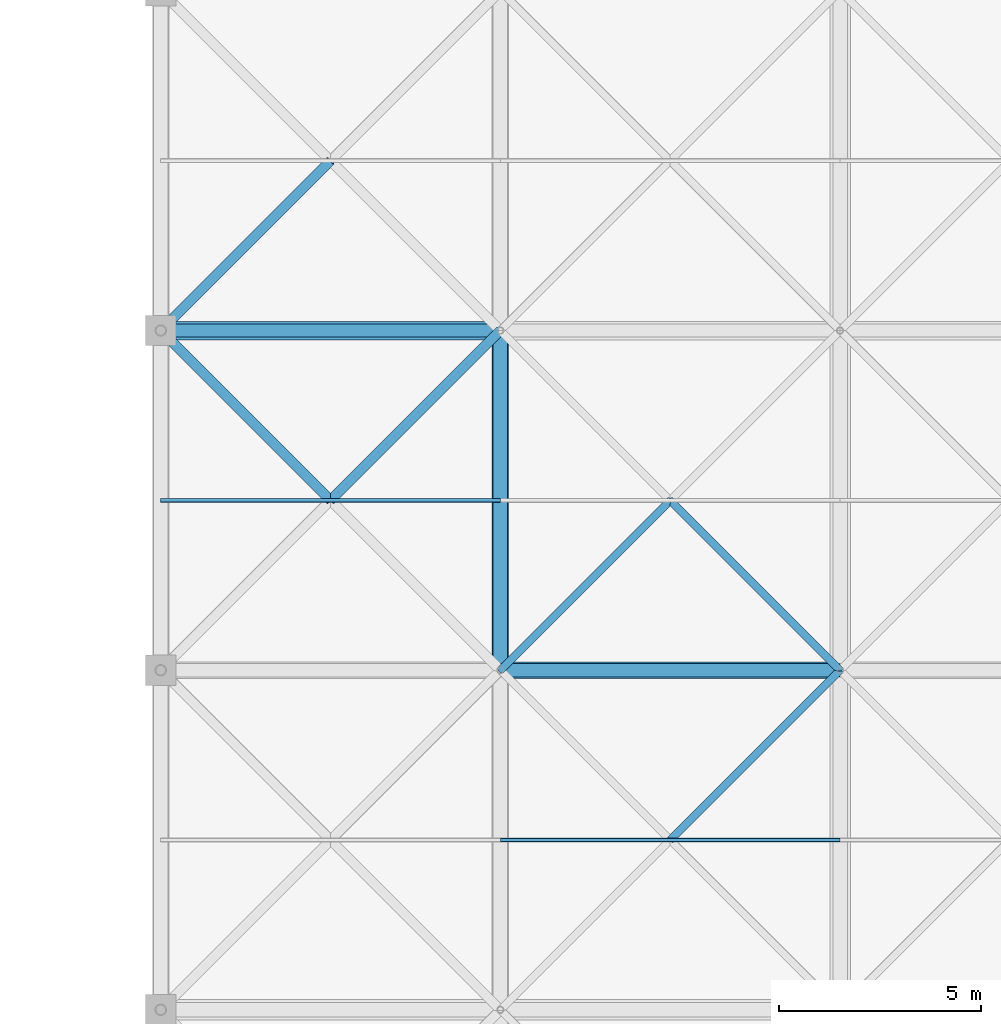
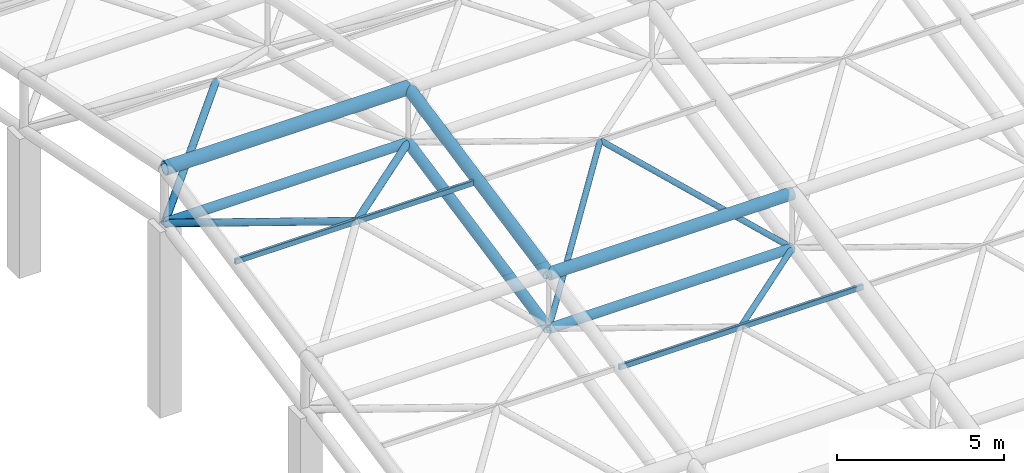
# One storey, part 38 of 110: 14 members.
"""IFC4 building model written with IfcOpenShell, lengths in metres."""

from ifc_helpers import new_model, si_unit, direction, frame, origin, origin_2d, place, context, subcontext, project, spatial, hollow_rectangle, hollow_circle, extrude, material, material_profile, profile_set, type_object, element, save


model = new_model("IFC4")

# Units and contexts
model_context = context("Model", 3, precision=1e-05, world=origin(), true_north=direction((0.0, 1.0)))
body_context = subcontext(model_context, "Body", "Model", "MODEL_VIEW")
ifc_project = project(units=[si_unit("LENGTHUNIT", "METRE"), si_unit("AREAUNIT", "SQUARE_METRE"), si_unit("VOLUMEUNIT", "CUBIC_METRE"), si_unit("PLANEANGLEUNIT", "RADIAN"), si_unit("MASSUNIT", "GRAM", prefix="KILO")], contexts=[model_context])

# Site, building, storey
site_placement = place(None, origin())
site = spatial("IfcSite", under=ifc_project, at=site_placement, CompositionType="ELEMENT")
building_placement = place(site_placement, origin())
building = spatial("IfcBuilding", under=site, at=building_placement, Name="Qawsi Khor Wholesale Market", CompositionType="ELEMENT")
storey_placement = place(building_placement, frame((0.0, 0.0, 11.39990234375)))
storey = spatial("IfcBuildingStorey", under=building, at=storey_placement, Name="L02", CompositionType="ELEMENT", Elevation=11.39990234375)

# Members
ifc_material = material(Name="Steel S355", Category="steel")
ifc_material_profile_1 = material_profile(ifc_material, hollow_circle(Radius=0.177734375, WallThickness=0.01611328125, at=origin_2d()), Name="CHS 355.6x16.0")
ifc_profile_set_1 = profile_set([ifc_material_profile_1], Name="Steel S355")
member_type_1 = type_object("IfcMemberType", Name="Space-Frame Bottom Chord CHS 355.6x16.0", PredefinedType="CHORD", material=ifc_profile_set_1)
member_1_placement = place(storey_placement, frame((151.199951171875, 67.199951171875, 5.070068359375), z_axis=(0.0, 0.98013111127, 0.198350711418), x_axis=(-1.0, 0.0, 0.0)))
element("IfcMember", 1, at=member_1_placement, inside=storey, type_object=member_type_1, Name="Space frame bottom chord Y EH (18,8)", PredefinedType="CHORD", context=body_context, shape_type="SweptSolid", body=[
    extrude(hollow_circle(Radius=0.177734375, WallThickness=0.01611328125, at=origin_2d()), origin(), (0.0, 0.0, 1.0), 8.5703125),
])
ifc_material_profile_2 = material_profile(ifc_material, hollow_circle(Radius=0.122314453125, WallThickness=0.012451171875, at=origin_2d()), Name="CHS 244.5x12.5")
ifc_profile_set_2 = profile_set([ifc_material_profile_2], Name="Steel S355")
member_type_2 = type_object("IfcMemberType", Name="Space-Frame Heavy Diagonal CHS 244.5x12.5", PredefinedType="POST", material=ifc_profile_set_2)
for number, where, z_axis, x_axis, name in (
    (2, (151.199951171875, 75.60009765625, 6.77001953125), (-0.694191941586, -0.694232294544, 0.190102786538), (0.707127332136, -0.70708622964, 0.0), "Space frame diagonal EH (17,8)-3"),
    (3, (142.800048828125, 75.60009765625, 6.77001953125), (0.694191941586, -0.694232294544, 0.190102786538), (0.707127332136, 0.70708622964, 0.0), "Space frame diagonal EH (17,8)-4"),
    (4, (142.800048828125, 75.60009765625, 6.77001953125), (0.694211389158, 0.694211389158, 0.190108112208), (-0.707106781187, 0.707106781187, 0.0), "Space frame diagonal EH (17,9)-1"),
):
    element("IfcMember", number, at=place(storey_placement, frame(where, z_axis=z_axis, x_axis=x_axis)), inside=storey, type_object=member_type_2, Name=name, PredefinedType="POST", context=body_context, shape_type="SweptSolid", body=[
        extrude(hollow_circle(Radius=0.122314453125, WallThickness=0.012451171875, at=origin_2d()), origin(), (0.0, 0.0, 1.0), 6.050048828125),
    ])
ifc_material_profile_3 = material_profile(ifc_material, hollow_rectangle(XDim=0.10009765625, YDim=0.199951171875, WallThickness=0.008056640625, InnerFilletRadius=0.008056640625, OuterFilletRadius=0.01611328125, at=origin_2d()), Name="RHS 200x100x8.0")
ifc_profile_set_3 = profile_set([ifc_material_profile_3], Name="Steel S355")
member_type_3 = type_object("IfcMemberType", Name="Space-Frame Purlin RHS 200x100x8.0", PredefinedType="PURLIN", material=ifc_profile_set_3)
member_2_placement = place(storey_placement, frame((142.800048828125, 71.39990234375, 7.920166015625), z_axis=(1.0, 0.0, 0.0), x_axis=(0.0, 1.0, 0.0)))
element("IfcMember", 5, at=member_2_placement, inside=storey, type_object=member_type_3, Name="Space frame purlin EH (17,8)", PredefinedType="PURLIN", context=body_context, shape_type="SweptSolid", body=[
    extrude(hollow_rectangle(XDim=0.10009765625, YDim=0.199951171875, WallThickness=0.008056640625, InnerFilletRadius=0.008056640625, OuterFilletRadius=0.01611328125, at=origin_2d()), origin(), (0.0, 0.0, 1.0), 8.39990234375),
])
member_3_placement = place(storey_placement, frame((151.199951171875, 63.0, 6.22021484375), z_axis=(1.0, 0.0, 0.0), x_axis=(0.0, 1.0, 0.0)))
element("IfcMember", 6, at=member_3_placement, inside=storey, type_object=member_type_3, Name="Space frame purlin EH (18,7)", PredefinedType="PURLIN", context=body_context, shape_type="SweptSolid", body=[
    extrude(hollow_rectangle(XDim=0.10009765625, YDim=0.199951171875, WallThickness=0.008056640625, InnerFilletRadius=0.008056640625, OuterFilletRadius=0.01611328125, at=origin_2d()), origin(), (0.0, 0.0, 1.0), 8.400146484375),
])
ifc_material_profile_4 = material_profile(ifc_material, hollow_circle(Radius=0.228515625, WallThickness=0.02001953125, at=origin_2d()), Name="CHS 457.0x20.0")
ifc_profile_set_4 = profile_set([ifc_material_profile_4], Name="Steel S355")
member_type_4 = type_object("IfcMemberType", Name="Space-Frame Ridge Chord CHS 457.0x20.0", PredefinedType="CHORD", material=ifc_profile_set_4)
member_4_placement = place(storey_placement, frame((142.800048828125, 75.60009765625, 8.77001953125), z_axis=(1.0, 0.0, 0.0), x_axis=(0.0, 1.0, 0.0)))
element("IfcMember", 7, at=member_4_placement, inside=storey, type_object=member_type_4, Name="Space frame top chord X EH (17,9)", PredefinedType="CHORD", context=body_context, shape_type="SweptSolid", body=[
    extrude(hollow_circle(Radius=0.228515625, WallThickness=0.02001953125, at=origin_2d()), origin(), (0.0, 0.0, 1.0), 8.39990234375),
])
ifc_material_profile_5 = material_profile(ifc_material, hollow_circle(Radius=0.161865234375, WallThickness=0.01611328125, at=origin_2d()), Name="CHS 323.9x16.0")
ifc_profile_set_5 = profile_set([ifc_material_profile_5], Name="Steel S355")
member_type_5 = type_object("IfcMemberType", Name="Space-Frame Secondary Chord CHS 323.9x16.0", PredefinedType="CHORD", material=ifc_profile_set_5)
member_5_placement = place(storey_placement, frame((142.800048828125, 75.60009765625, 6.77001953125), z_axis=(1.0, 0.0, 0.0), x_axis=(0.0, 1.0, 0.0)))
element("IfcMember", 8, at=member_5_placement, inside=storey, type_object=member_type_5, Name="Space frame bottom chord X EH (17,9)", PredefinedType="CHORD", context=body_context, shape_type="SweptSolid", body=[
    extrude(hollow_circle(Radius=0.161865234375, WallThickness=0.01611328125, at=origin_2d()), origin(), (0.0, 0.0, 1.0), 8.39990234375),
])
member_6_placement = place(storey_placement, frame((151.199951171875, 67.199951171875, 5.070068359375), z_axis=(1.0, 0.0, 0.0), x_axis=(0.0, 1.0, 0.0)))
element("IfcMember", 9, at=member_6_placement, inside=storey, type_object=member_type_5, Name="Space frame bottom chord X EH (18,8)", PredefinedType="CHORD", context=body_context, shape_type="SweptSolid", body=[
    extrude(hollow_circle(Radius=0.161865234375, WallThickness=0.01611328125, at=origin_2d()), origin(), (0.0, 0.0, 1.0), 8.400146484375),
])
ifc_material_profile_6 = material_profile(ifc_material, hollow_circle(Radius=0.096923828125, WallThickness=0.008056640625, at=origin_2d()), Name="CHS 193.7x8.0")
ifc_profile_set_6 = profile_set([ifc_material_profile_6], Name="Steel S355")
member_type_6 = type_object("IfcMemberType", Name="Space-Frame Secondary Diagonal CHS 193.7x8.0", PredefinedType="RAFTER", material=ifc_profile_set_6)
member_7_placement = place(storey_placement, frame((159.60009765625, 67.199951171875, 5.070068359375), z_axis=(-0.694232294544, -0.694191941586, 0.190102786538), x_axis=(0.70708622964, -0.707127332136, 0.0)))
element("IfcMember", 10, at=member_7_placement, inside=storey, type_object=member_type_6, Name="Space frame diagonal EH (18,7)-3", PredefinedType="RAFTER", context=body_context, shape_type="SweptSolid", body=[
    extrude(hollow_circle(Radius=0.096923828125, WallThickness=0.008056640625, at=origin_2d()), origin(), (0.0, 0.0, 1.0), 6.050048828125),
])
for number, where, z_axis, x_axis, name in (
    (11, (151.199951171875, 67.199951171875, 5.070068359375), (0.637511741089, 0.637511741089, 0.432617105474), (-0.707106781187, 0.707106781187, 0.0), "Space frame diagonal EH (18,8)-1"),
    (12, (159.60009765625, 67.199951171875, 5.070068359375), (-0.637533737254, 0.637496679957, 0.432606884951), (-0.70708622964, -0.707127332136, 0.0), "Space frame diagonal EH (18,8)-2"),
):
    element("IfcMember", number, at=place(storey_placement, frame(where, z_axis=z_axis, x_axis=x_axis)), inside=storey, type_object=member_type_6, Name=name, PredefinedType="RAFTER", context=body_context, shape_type="SweptSolid", body=[
        extrude(hollow_circle(Radius=0.096923828125, WallThickness=0.008056640625, at=origin_2d()), origin(), (0.0, 0.0, 1.0), 6.588134765625),
    ])
ifc_material_profile_7 = material_profile(ifc_material, hollow_circle(Radius=0.203125, WallThickness=0.02001953125, at=origin_2d()), Name="CHS 406.4x20.0")
ifc_profile_set_7 = profile_set([ifc_material_profile_7], Name="Steel S355")
member_type_7 = type_object("IfcMemberType", Name="Space-Frame Top Chord CHS 406.4x20.0", PredefinedType="CHORD", material=ifc_profile_set_7)
member_8_placement = place(storey_placement, frame((151.199951171875, 67.199951171875, 7.070068359375), z_axis=(1.0, 0.0, 0.0), x_axis=(0.0, 1.0, 0.0)))
element("IfcMember", 13, at=member_8_placement, inside=storey, type_object=member_type_7, Name="Space frame top chord X EH (18,8)", PredefinedType="CHORD", context=body_context, shape_type="SweptSolid", body=[
    extrude(hollow_circle(Radius=0.203125, WallThickness=0.02001953125, at=origin_2d()), origin(), (0.0, 0.0, 1.0), 8.400146484375),
])
member_9_placement = place(storey_placement, frame((151.199951171875, 67.199951171875, 7.070068359375), z_axis=(0.0, 0.98013111127, 0.198350711418), x_axis=(-1.0, 0.0, 0.0)))
element("IfcMember", 14, at=member_9_placement, inside=storey, type_object=member_type_7, Name="Space frame top chord Y EH (18,8)", PredefinedType="CHORD", context=body_context, shape_type="SweptSolid", body=[
    extrude(hollow_circle(Radius=0.203125, WallThickness=0.02001953125, at=origin_2d()), origin(), (0.0, 0.0, 1.0), 8.5703125),
])

save(model, "model.ifc")
